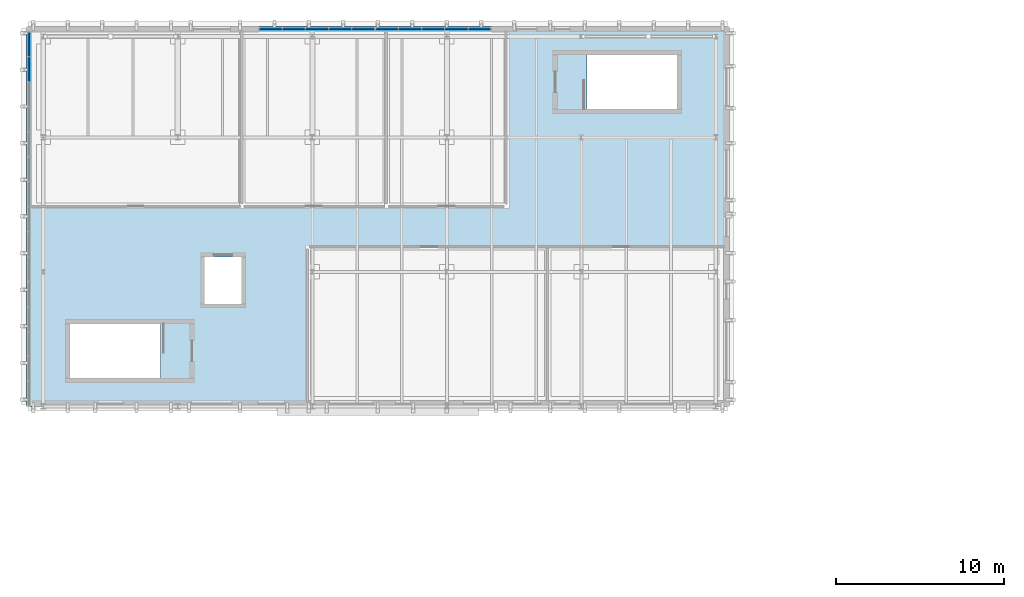
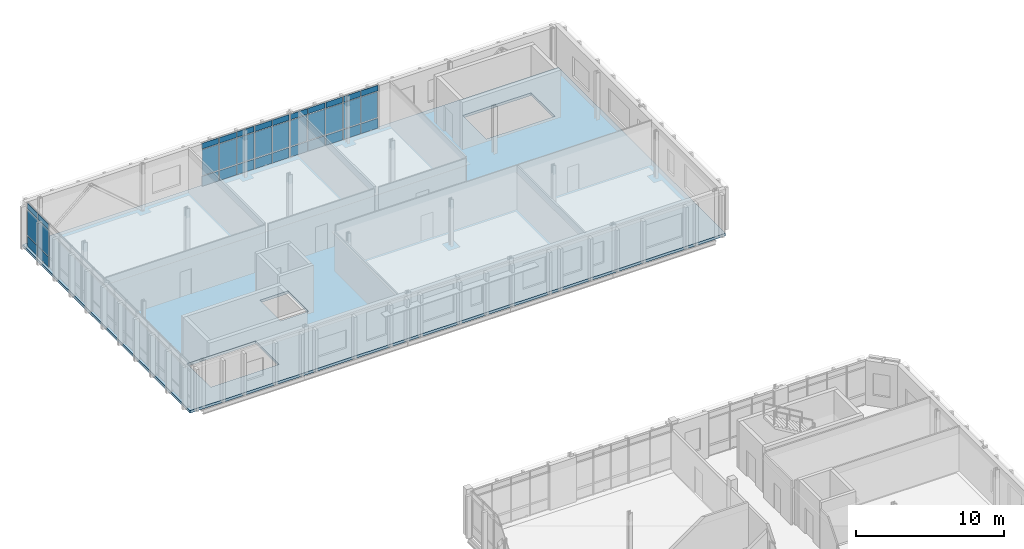
# One storey, part 21 of 40: 36 plates, 1 slab, 3 elements without a shape of their own.
"""IFC4 building model written with IfcOpenShell, lengths in metres."""

from ifc_helpers import new_model, si_unit, direction, frame, origin, origin_2d, place, context, subcontext, project, spatial, polyline, rectangle, outline, extrude, material, layer, layer_set, type_object, element, aggregate, save


model = new_model("IFC4")

# Units and contexts
model_context = context("Model", 3, precision=1e-05, world=origin(), true_north=direction((0.0, 1.0)))
body_context = subcontext(model_context, "Body", "Model", "MODEL_VIEW")
ifc_project = project(units=[si_unit("LENGTHUNIT", "METRE"), si_unit("AREAUNIT", "SQUARE_METRE"), si_unit("VOLUMEUNIT", "CUBIC_METRE"), si_unit("PLANEANGLEUNIT", "RADIAN"), si_unit("MASSUNIT", "GRAM", prefix="KILO")], contexts=[model_context])

# Site, building, storey
site_placement = place(None, origin())
site = spatial("IfcSite", under=ifc_project, at=site_placement, CompositionType="ELEMENT")
building_placement = place(site_placement, origin())
building = spatial("IfcBuilding", under=site, at=building_placement, Name="Cymarion Research Institute", CompositionType="ELEMENT")
storey_placement = place(building_placement, frame((0.0, 0.0, 26.699951171875)))
storey = spatial("IfcBuildingStorey", under=building, at=storey_placement, Name="L06", CompositionType="ELEMENT", Elevation=26.699951171875)

# Slab
ifc_material_1 = material(Name="Concrete C35/45", Category="concrete")
ifc_layer_1 = layer(ifc_material_1, 0.219970703125)
ifc_layer_set_1 = layer_set([ifc_layer_1], Name="Concrete C35/45")
slab_type = type_object("IfcSlabType", Name="COMPOSITE FLOOR SLAB SL-FL220 220MM", PredefinedType="FLOOR", material=ifc_layer_set_1)
slab_placement = place(storey_placement, frame((0.0, 0.0, -0.219970703125)))
element("IfcSlab", 1, at=slab_placement, inside=storey, type_object=slab_type, Name="L06 V5 floor slab", PredefinedType="FLOOR", context=body_context, shape_type="SweptSolid", body=[
    extrude(outline(polyline([(5.60009765625, 93.5), (47.39990234375, 93.5), (47.39990234375, 116.10009765625), (5.60009765625, 116.10009765625), (5.60009765625, 93.5)]), holes=[polyline([(13.56005859375, 98.39990234375), (8.199951171875, 98.39990234375), (8.199951171875, 95.199951171875), (13.56005859375, 95.199951171875), (13.56005859375, 98.39990234375)]), polyline([(16.199951171875, 99.60009765625), (18.39990234375, 99.60009765625), (18.39990234375, 102.39990234375), (16.199951171875, 102.39990234375), (16.199951171875, 99.60009765625)]), polyline([(38.93994140625, 111.199951171875), (44.300048828125, 111.199951171875), (44.300048828125, 114.39990234375), (38.93994140625, 114.39990234375), (38.93994140625, 111.199951171875)])]), origin(), (0.0, 0.0, 1.0), 0.219970703125),
])

# Curtain wall, plates
ifc_material_2 = material(Name="Anodised aluminium unitised curtain wall with Low-E glazing", Category="aluminium")
curtain_wall_type_1 = type_object("IfcCurtainWallType", Name="UNITISED CURTAIN WALL CW64 6910X3660", PredefinedType="NOTDEFINED", material=ifc_material_2)
curtain_wall_1_placement = place(storey_placement, origin())
curtain_wall_1 = element("IfcCurtainWall", 2, at=curtain_wall_1_placement, inside=storey, type_object=curtain_wall_type_1, Name="L06 V5 unitised curtain wall CW64 #225", PredefinedType="NOTDEFINED")
ifc_material_3 = material(Name="Insulated anodised aluminium spandrel panel", Category="aluminium")
ifc_layer_2 = layer(ifc_material_3, 0.06005859375)
ifc_layer_set_2 = layer_set([ifc_layer_2], Name="Insulated anodised aluminium spandrel panel")
plate_type_1 = type_object("IfcPlateType", Name="INSULATED ALUMINIUM SPANDREL PANEL SP01 60MM", PredefinedType="SHEET", material=ifc_layer_set_2)
plate_1_placement = place(storey_placement, frame((32.545654296875, 115.929931640625, 0.06005859375), z_axis=(0.0, 0.0, 1.0), x_axis=(-1.0, 0.0, 0.0)))
plate_1 = element("IfcPlate", 3, at=plate_1_placement, type_object=plate_type_1, Name="CW64 panel 1.1", PredefinedType="SHEET", context=body_context, shape_type="SweptSolid", body=[
    extrude(rectangle(XDim=1.29248046875, YDim=0.06005859375, at=origin_2d()), origin(), (0.0, 0.0, 1.0), 0.81005859375),
])
plate_2_placement = place(storey_placement, frame((32.545654296875, 115.929931640625, 3.14013671875), z_axis=(0.0, 0.0, 1.0), x_axis=(-1.0, 0.0, 0.0)))
plate_2 = element("IfcPlate", 4, at=plate_2_placement, type_object=plate_type_1, Name="CW64 panel 1.3", PredefinedType="SHEET", context=body_context, shape_type="SweptSolid", body=[
    extrude(rectangle(XDim=1.29248046875, YDim=0.06005859375, at=origin_2d()), origin(), (0.0, 0.0, 1.0), 0.4599609375),
])
plate_3_placement = place(storey_placement, frame((31.177978515625, 115.929931640625, 0.06005859375), z_axis=(0.0, 0.0, 1.0), x_axis=(-1.0, 0.0, 0.0)))
plate_3 = element("IfcPlate", 5, at=plate_3_placement, type_object=plate_type_1, Name="CW64 panel 2.1", PredefinedType="SHEET", context=body_context, shape_type="SweptSolid", body=[
    extrude(rectangle(XDim=1.322509765625, YDim=0.06005859375, at=origin_2d()), origin(), (0.0, 0.0, 1.0), 0.81005859375),
])
plate_4_placement = place(storey_placement, frame((31.177978515625, 115.929931640625, 3.14013671875), z_axis=(0.0, 0.0, 1.0), x_axis=(-1.0, 0.0, 0.0)))
plate_4 = element("IfcPlate", 6, at=plate_4_placement, type_object=plate_type_1, Name="CW64 panel 2.3", PredefinedType="SHEET", context=body_context, shape_type="SweptSolid", body=[
    extrude(rectangle(XDim=1.322509765625, YDim=0.06005859375, at=origin_2d()), origin(), (0.0, 0.0, 1.0), 0.4599609375),
])
plate_5_placement = place(storey_placement, frame((29.79541015625, 115.929931640625, 0.06005859375), z_axis=(0.0, 0.0, 1.0), x_axis=(-1.0, 0.0, 0.0)))
plate_5 = element("IfcPlate", 7, at=plate_5_placement, type_object=plate_type_1, Name="CW64 panel 3.1", PredefinedType="SHEET", context=body_context, shape_type="SweptSolid", body=[
    extrude(rectangle(XDim=1.322509765625, YDim=0.06005859375, at=origin_2d()), origin(), (0.0, 0.0, 1.0), 0.81005859375),
])
plate_6_placement = place(storey_placement, frame((29.79541015625, 115.929931640625, 3.14013671875), z_axis=(0.0, 0.0, 1.0), x_axis=(-1.0, 0.0, 0.0)))
plate_6 = element("IfcPlate", 8, at=plate_6_placement, type_object=plate_type_1, Name="CW64 panel 3.3", PredefinedType="SHEET", context=body_context, shape_type="SweptSolid", body=[
    extrude(rectangle(XDim=1.322509765625, YDim=0.06005859375, at=origin_2d()), origin(), (0.0, 0.0, 1.0), 0.4599609375),
])
plate_7_placement = place(storey_placement, frame((28.412841796875, 115.929931640625, 0.06005859375), z_axis=(0.0, 0.0, 1.0), x_axis=(-1.0, 0.0, 0.0)))
plate_7 = element("IfcPlate", 9, at=plate_7_placement, type_object=plate_type_1, Name="CW64 panel 4.1", PredefinedType="SHEET", context=body_context, shape_type="SweptSolid", body=[
    extrude(rectangle(XDim=1.322509765625, YDim=0.06005859375, at=origin_2d()), origin(), (0.0, 0.0, 1.0), 0.81005859375),
])
plate_8_placement = place(storey_placement, frame((28.412841796875, 115.929931640625, 3.14013671875), z_axis=(0.0, 0.0, 1.0), x_axis=(-1.0, 0.0, 0.0)))
plate_8 = element("IfcPlate", 10, at=plate_8_placement, type_object=plate_type_1, Name="CW64 panel 4.3", PredefinedType="SHEET", context=body_context, shape_type="SweptSolid", body=[
    extrude(rectangle(XDim=1.322509765625, YDim=0.06005859375, at=origin_2d()), origin(), (0.0, 0.0, 1.0), 0.4599609375),
])
plate_9_placement = place(storey_placement, frame((27.04541015625, 115.929931640625, 0.06005859375), z_axis=(0.0, 0.0, 1.0), x_axis=(-1.0, 0.0, 0.0)))
plate_9 = element("IfcPlate", 11, at=plate_9_placement, type_object=plate_type_1, Name="CW64 panel 5.1", PredefinedType="SHEET", context=body_context, shape_type="SweptSolid", body=[
    extrude(rectangle(XDim=1.29248046875, YDim=0.06005859375, at=origin_2d()), origin(), (0.0, 0.0, 1.0), 0.81005859375),
])
plate_10_placement = place(storey_placement, frame((27.04541015625, 115.929931640625, 3.14013671875), z_axis=(0.0, 0.0, 1.0), x_axis=(-1.0, 0.0, 0.0)))
plate_10 = element("IfcPlate", 12, at=plate_10_placement, type_object=plate_type_1, Name="CW64 panel 5.3", PredefinedType="SHEET", context=body_context, shape_type="SweptSolid", body=[
    extrude(rectangle(XDim=1.29248046875, YDim=0.06005859375, at=origin_2d()), origin(), (0.0, 0.0, 1.0), 0.4599609375),
])

curtain_wall_2_placement = place(storey_placement, origin())
curtain_wall_2 = element("IfcCurtainWall", 13, at=curtain_wall_2_placement, inside=storey, type_object=curtain_wall_type_1, Name="L06 V5 unitised curtain wall CW64 #226", PredefinedType="NOTDEFINED")
plate_11_placement = place(storey_placement, frame((25.6328125, 115.929931640625, 0.06005859375), z_axis=(0.0, 0.0, 1.0), x_axis=(-1.0, 0.0, 0.0)))
plate_11 = element("IfcPlate", 14, at=plate_11_placement, type_object=plate_type_1, Name="CW64 panel 1.1", PredefinedType="SHEET", context=body_context, shape_type="SweptSolid", body=[
    extrude(rectangle(XDim=1.29248046875, YDim=0.06005859375, at=origin_2d()), origin(), (0.0, 0.0, 1.0), 0.81005859375),
])
plate_12_placement = place(storey_placement, frame((25.6328125, 115.929931640625, 3.14013671875), z_axis=(0.0, 0.0, 1.0), x_axis=(-1.0, 0.0, 0.0)))
plate_12 = element("IfcPlate", 15, at=plate_12_placement, type_object=plate_type_1, Name="CW64 panel 1.3", PredefinedType="SHEET", context=body_context, shape_type="SweptSolid", body=[
    extrude(rectangle(XDim=1.29248046875, YDim=0.06005859375, at=origin_2d()), origin(), (0.0, 0.0, 1.0), 0.4599609375),
])
plate_13_placement = place(storey_placement, frame((24.26513671875, 115.929931640625, 0.06005859375), z_axis=(0.0, 0.0, 1.0), x_axis=(-1.0, 0.0, 0.0)))
plate_13 = element("IfcPlate", 16, at=plate_13_placement, type_object=plate_type_1, Name="CW64 panel 2.1", PredefinedType="SHEET", context=body_context, shape_type="SweptSolid", body=[
    extrude(rectangle(XDim=1.322509765625, YDim=0.06005859375, at=origin_2d()), origin(), (0.0, 0.0, 1.0), 0.81005859375),
])
plate_14_placement = place(storey_placement, frame((24.26513671875, 115.929931640625, 3.14013671875), z_axis=(0.0, 0.0, 1.0), x_axis=(-1.0, 0.0, 0.0)))
plate_14 = element("IfcPlate", 17, at=plate_14_placement, type_object=plate_type_1, Name="CW64 panel 2.3", PredefinedType="SHEET", context=body_context, shape_type="SweptSolid", body=[
    extrude(rectangle(XDim=1.322509765625, YDim=0.06005859375, at=origin_2d()), origin(), (0.0, 0.0, 1.0), 0.4599609375),
])
plate_15_placement = place(storey_placement, frame((22.882568359375, 115.929931640625, 0.06005859375), z_axis=(0.0, 0.0, 1.0), x_axis=(-1.0, 0.0, 0.0)))
plate_15 = element("IfcPlate", 18, at=plate_15_placement, type_object=plate_type_1, Name="CW64 panel 3.1", PredefinedType="SHEET", context=body_context, shape_type="SweptSolid", body=[
    extrude(rectangle(XDim=1.322509765625, YDim=0.06005859375, at=origin_2d()), origin(), (0.0, 0.0, 1.0), 0.81005859375),
])
plate_16_placement = place(storey_placement, frame((22.882568359375, 115.929931640625, 3.14013671875), z_axis=(0.0, 0.0, 1.0), x_axis=(-1.0, 0.0, 0.0)))
plate_16 = element("IfcPlate", 19, at=plate_16_placement, type_object=plate_type_1, Name="CW64 panel 3.3", PredefinedType="SHEET", context=body_context, shape_type="SweptSolid", body=[
    extrude(rectangle(XDim=1.322509765625, YDim=0.06005859375, at=origin_2d()), origin(), (0.0, 0.0, 1.0), 0.4599609375),
])
plate_17_placement = place(storey_placement, frame((21.5, 115.929931640625, 0.06005859375), z_axis=(0.0, 0.0, 1.0), x_axis=(-1.0, 0.0, 0.0)))
plate_17 = element("IfcPlate", 20, at=plate_17_placement, type_object=plate_type_1, Name="CW64 panel 4.1", PredefinedType="SHEET", context=body_context, shape_type="SweptSolid", body=[
    extrude(rectangle(XDim=1.322509765625, YDim=0.06005859375, at=origin_2d()), origin(), (0.0, 0.0, 1.0), 0.81005859375),
])
plate_18_placement = place(storey_placement, frame((21.5, 115.929931640625, 3.14013671875), z_axis=(0.0, 0.0, 1.0), x_axis=(-1.0, 0.0, 0.0)))
plate_18 = element("IfcPlate", 21, at=plate_18_placement, type_object=plate_type_1, Name="CW64 panel 4.3", PredefinedType="SHEET", context=body_context, shape_type="SweptSolid", body=[
    extrude(rectangle(XDim=1.322509765625, YDim=0.06005859375, at=origin_2d()), origin(), (0.0, 0.0, 1.0), 0.4599609375),
])
plate_19_placement = place(storey_placement, frame((20.13232421875, 115.929931640625, 0.06005859375), z_axis=(0.0, 0.0, 1.0), x_axis=(-1.0, 0.0, 0.0)))
plate_19 = element("IfcPlate", 22, at=plate_19_placement, type_object=plate_type_1, Name="CW64 panel 5.1", PredefinedType="SHEET", context=body_context, shape_type="SweptSolid", body=[
    extrude(rectangle(XDim=1.29248046875, YDim=0.06005859375, at=origin_2d()), origin(), (0.0, 0.0, 1.0), 0.81005859375),
])
plate_20_placement = place(storey_placement, frame((20.13232421875, 115.929931640625, 3.14013671875), z_axis=(0.0, 0.0, 1.0), x_axis=(-1.0, 0.0, 0.0)))
plate_20 = element("IfcPlate", 23, at=plate_20_placement, type_object=plate_type_1, Name="CW64 panel 5.3", PredefinedType="SHEET", context=body_context, shape_type="SweptSolid", body=[
    extrude(rectangle(XDim=1.29248046875, YDim=0.06005859375, at=origin_2d()), origin(), (0.0, 0.0, 1.0), 0.4599609375),
])

curtain_wall_type_2 = type_object("IfcCurtainWallType", Name="UNITISED CURTAIN WALL CW65 7430X3660", PredefinedType="NOTDEFINED", material=ifc_material_2)
curtain_wall_3_placement = place(storey_placement, origin())
curtain_wall_3 = element("IfcCurtainWall", 24, at=curtain_wall_3_placement, inside=storey, type_object=curtain_wall_type_2, Name="L06 V5 unitised curtain wall CW65 #227", PredefinedType="NOTDEFINED")
plate_21_placement = place(storey_placement, frame((5.77001953125, 115.0205078125, 0.06005859375), z_axis=(0.0, 0.0, 1.0), x_axis=(0.0, -1.0, 0.0)))
plate_21 = element("IfcPlate", 25, at=plate_21_placement, type_object=plate_type_1, Name="CW65 panel 1.1", PredefinedType="SHEET", context=body_context, shape_type="SweptSolid", body=[
    extrude(rectangle(XDim=1.395263671875, YDim=0.06005859375, at=origin_2d()), origin(), (0.0, 0.0, 1.0), 0.81005859375),
])
plate_22_placement = place(storey_placement, frame((5.77001953125, 115.0205078125, 3.14013671875), z_axis=(0.0, 0.0, 1.0), x_axis=(0.0, -1.0, 0.0)))
plate_22 = element("IfcPlate", 26, at=plate_22_placement, type_object=plate_type_1, Name="CW65 panel 1.3", PredefinedType="SHEET", context=body_context, shape_type="SweptSolid", body=[
    extrude(rectangle(XDim=1.395263671875, YDim=0.06005859375, at=origin_2d()), origin(), (0.0, 0.0, 1.0), 0.4599609375),
])
plate_23_placement = place(storey_placement, frame((5.77001953125, 113.55029296875, 0.06005859375), z_axis=(0.0, 0.0, 1.0), x_axis=(0.0, -1.0, 0.0)))
plate_23 = element("IfcPlate", 27, at=plate_23_placement, type_object=plate_type_1, Name="CW65 panel 2.1", PredefinedType="SHEET", context=body_context, shape_type="SweptSolid", body=[
    extrude(rectangle(XDim=1.42529296875, YDim=0.06005859375, at=origin_2d()), origin(), (0.0, 0.0, 1.0), 0.81005859375),
])
plate_24_placement = place(storey_placement, frame((5.77001953125, 113.55029296875, 3.14013671875), z_axis=(0.0, 0.0, 1.0), x_axis=(0.0, -1.0, 0.0)))
plate_24 = element("IfcPlate", 28, at=plate_24_placement, type_object=plate_type_1, Name="CW65 panel 2.3", PredefinedType="SHEET", context=body_context, shape_type="SweptSolid", body=[
    extrude(rectangle(XDim=1.42529296875, YDim=0.06005859375, at=origin_2d()), origin(), (0.0, 0.0, 1.0), 0.4599609375),
])

# Plate
ifc_material_4 = material(Name="Low-E double solar-control glazing", Category="glass")
ifc_layer_3 = layer(ifc_material_4, 0.035888671875)
ifc_layer_set_3 = layer_set([ifc_layer_3], Name="Low-E double solar-control glazing")
plate_type_2 = type_object("IfcPlateType", Name="SOLAR CONTROL GLAZED VISION PANEL GP01 36MM", PredefinedType="CURTAIN_PANEL", material=ifc_layer_set_3)
plate_25_placement = place(storey_placement, frame((32.545654296875, 115.929931640625, 0.93017578125), z_axis=(0.0, 0.0, 1.0), x_axis=(-1.0, 0.0, 0.0)))
plate_25 = element("IfcPlate", 29, at=plate_25_placement, type_object=plate_type_2, Name="CW64 panel 1.2", PredefinedType="CURTAIN_PANEL", context=body_context, shape_type="SweptSolid", body=[
    extrude(rectangle(XDim=1.29248046875, YDim=0.035888671875, at=origin_2d()), origin(), (0.0, 0.0, 1.0), 2.14990234375),
])

plate_26_placement = place(storey_placement, frame((31.177978515625, 115.929931640625, 0.93017578125), z_axis=(0.0, 0.0, 1.0), x_axis=(-1.0, 0.0, 0.0)))
plate_26 = element("IfcPlate", 30, at=plate_26_placement, type_object=plate_type_2, Name="CW64 panel 2.2", PredefinedType="CURTAIN_PANEL", context=body_context, shape_type="SweptSolid", body=[
    extrude(rectangle(XDim=1.322509765625, YDim=0.035888671875, at=origin_2d()), origin(), (0.0, 0.0, 1.0), 2.14990234375),
])

plate_27_placement = place(storey_placement, frame((29.79541015625, 115.929931640625, 0.93017578125), z_axis=(0.0, 0.0, 1.0), x_axis=(-1.0, 0.0, 0.0)))
plate_27 = element("IfcPlate", 31, at=plate_27_placement, type_object=plate_type_2, Name="CW64 panel 3.2", PredefinedType="CURTAIN_PANEL", context=body_context, shape_type="SweptSolid", body=[
    extrude(rectangle(XDim=1.322509765625, YDim=0.035888671875, at=origin_2d()), origin(), (0.0, 0.0, 1.0), 2.14990234375),
])

plate_28_placement = place(storey_placement, frame((28.412841796875, 115.929931640625, 0.93017578125), z_axis=(0.0, 0.0, 1.0), x_axis=(-1.0, 0.0, 0.0)))
plate_28 = element("IfcPlate", 32, at=plate_28_placement, type_object=plate_type_2, Name="CW64 panel 4.2", PredefinedType="CURTAIN_PANEL", context=body_context, shape_type="SweptSolid", body=[
    extrude(rectangle(XDim=1.322509765625, YDim=0.035888671875, at=origin_2d()), origin(), (0.0, 0.0, 1.0), 2.14990234375),
])

plate_29_placement = place(storey_placement, frame((27.04541015625, 115.929931640625, 0.93017578125), z_axis=(0.0, 0.0, 1.0), x_axis=(-1.0, 0.0, 0.0)))
plate_29 = element("IfcPlate", 33, at=plate_29_placement, type_object=plate_type_2, Name="CW64 panel 5.2", PredefinedType="CURTAIN_PANEL", context=body_context, shape_type="SweptSolid", body=[
    extrude(rectangle(XDim=1.29248046875, YDim=0.035888671875, at=origin_2d()), origin(), (0.0, 0.0, 1.0), 2.14990234375),
])

aggregate(curtain_wall_1, [plate_1, plate_25, plate_2, plate_3, plate_26, plate_4, plate_5, plate_27, plate_6, plate_7, plate_28, plate_8, plate_9, plate_29, plate_10])

plate_30_placement = place(storey_placement, frame((25.6328125, 115.929931640625, 0.93017578125), z_axis=(0.0, 0.0, 1.0), x_axis=(-1.0, 0.0, 0.0)))
plate_30 = element("IfcPlate", 34, at=plate_30_placement, type_object=plate_type_2, Name="CW64 panel 1.2", PredefinedType="CURTAIN_PANEL", context=body_context, shape_type="SweptSolid", body=[
    extrude(rectangle(XDim=1.29248046875, YDim=0.035888671875, at=origin_2d()), origin(), (0.0, 0.0, 1.0), 2.14990234375),
])

plate_31_placement = place(storey_placement, frame((24.26513671875, 115.929931640625, 0.93017578125), z_axis=(0.0, 0.0, 1.0), x_axis=(-1.0, 0.0, 0.0)))
plate_31 = element("IfcPlate", 35, at=plate_31_placement, type_object=plate_type_2, Name="CW64 panel 2.2", PredefinedType="CURTAIN_PANEL", context=body_context, shape_type="SweptSolid", body=[
    extrude(rectangle(XDim=1.322509765625, YDim=0.035888671875, at=origin_2d()), origin(), (0.0, 0.0, 1.0), 2.14990234375),
])

plate_32_placement = place(storey_placement, frame((22.882568359375, 115.929931640625, 0.93017578125), z_axis=(0.0, 0.0, 1.0), x_axis=(-1.0, 0.0, 0.0)))
plate_32 = element("IfcPlate", 36, at=plate_32_placement, type_object=plate_type_2, Name="CW64 panel 3.2", PredefinedType="CURTAIN_PANEL", context=body_context, shape_type="SweptSolid", body=[
    extrude(rectangle(XDim=1.322509765625, YDim=0.035888671875, at=origin_2d()), origin(), (0.0, 0.0, 1.0), 2.14990234375),
])

plate_33_placement = place(storey_placement, frame((21.5, 115.929931640625, 0.93017578125), z_axis=(0.0, 0.0, 1.0), x_axis=(-1.0, 0.0, 0.0)))
plate_33 = element("IfcPlate", 37, at=plate_33_placement, type_object=plate_type_2, Name="CW64 panel 4.2", PredefinedType="CURTAIN_PANEL", context=body_context, shape_type="SweptSolid", body=[
    extrude(rectangle(XDim=1.322509765625, YDim=0.035888671875, at=origin_2d()), origin(), (0.0, 0.0, 1.0), 2.14990234375),
])

plate_34_placement = place(storey_placement, frame((20.13232421875, 115.929931640625, 0.93017578125), z_axis=(0.0, 0.0, 1.0), x_axis=(-1.0, 0.0, 0.0)))
plate_34 = element("IfcPlate", 38, at=plate_34_placement, type_object=plate_type_2, Name="CW64 panel 5.2", PredefinedType="CURTAIN_PANEL", context=body_context, shape_type="SweptSolid", body=[
    extrude(rectangle(XDim=1.29248046875, YDim=0.035888671875, at=origin_2d()), origin(), (0.0, 0.0, 1.0), 2.14990234375),
])

aggregate(curtain_wall_2, [plate_11, plate_30, plate_12, plate_13, plate_31, plate_14, plate_15, plate_32, plate_16, plate_17, plate_33, plate_18, plate_19, plate_34, plate_20])

plate_35_placement = place(storey_placement, frame((5.77001953125, 115.0205078125, 0.93017578125), z_axis=(0.0, 0.0, 1.0), x_axis=(0.0, -1.0, 0.0)))
plate_35 = element("IfcPlate", 39, at=plate_35_placement, type_object=plate_type_2, Name="CW65 panel 1.2", PredefinedType="CURTAIN_PANEL", context=body_context, shape_type="SweptSolid", body=[
    extrude(rectangle(XDim=1.395263671875, YDim=0.035888671875, at=origin_2d()), origin(), (0.0, 0.0, 1.0), 2.14990234375),
])

plate_36_placement = place(storey_placement, frame((5.77001953125, 113.55029296875, 0.93017578125), z_axis=(0.0, 0.0, 1.0), x_axis=(0.0, -1.0, 0.0)))
plate_36 = element("IfcPlate", 40, at=plate_36_placement, type_object=plate_type_2, Name="CW65 panel 2.2", PredefinedType="CURTAIN_PANEL", context=body_context, shape_type="SweptSolid", body=[
    extrude(rectangle(XDim=1.42529296875, YDim=0.035888671875, at=origin_2d()), origin(), (0.0, 0.0, 1.0), 2.14990234375),
])

aggregate(curtain_wall_3, [plate_21, plate_35, plate_22, plate_23, plate_36, plate_24])

save(model, "model.ifc")
